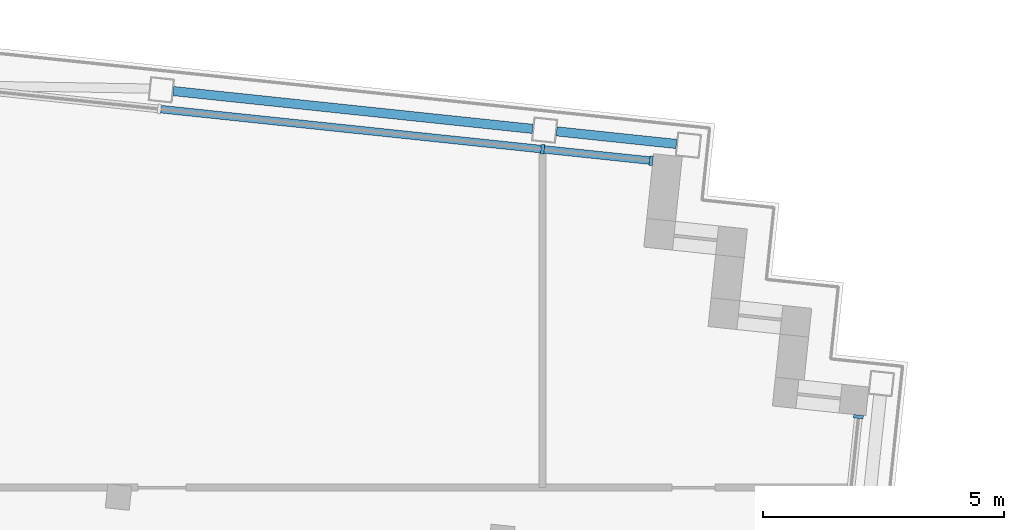
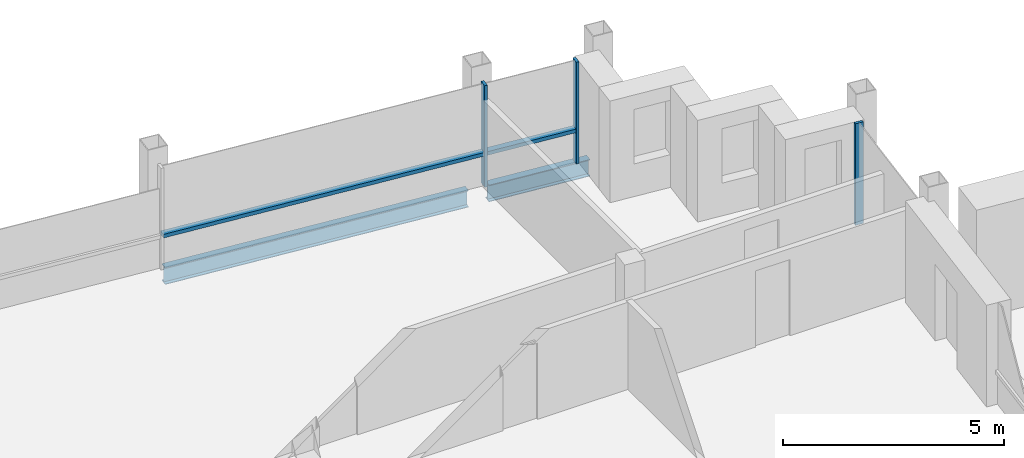
# One storey, part 6 of 16: 5 members, 2 beams, 2 elements without a shape of their own.
"""IFC4 building model written with IfcOpenShell, lengths in metres."""

from ifc_helpers import new_model, si_unit, direction, frame, origin, origin_2d, place, context, subcontext, project, spatial, rectangle, i_section, extrude, material, material_profile, profile_set, type_object, element, aggregate, save


model = new_model("IFC4")

# Units and contexts
model_context = context("Model", 3, precision=1e-05, world=origin(), true_north=direction((0.0, 1.0)))
body_context = subcontext(model_context, "Body", "Model", "MODEL_VIEW")
ifc_project = project(units=[si_unit("LENGTHUNIT", "METRE"), si_unit("AREAUNIT", "SQUARE_METRE"), si_unit("VOLUMEUNIT", "CUBIC_METRE"), si_unit("PLANEANGLEUNIT", "RADIAN"), si_unit("MASSUNIT", "GRAM", prefix="KILO")], contexts=[model_context])

# Site, building, storey
site_placement = place(None, origin())
site = spatial("IfcSite", under=ifc_project, at=site_placement, CompositionType="ELEMENT")
building_placement = place(site_placement, origin())
building = spatial("IfcBuilding", under=site, at=building_placement, Name="Vidyagriha Tower", CompositionType="ELEMENT")
storey_placement = place(building_placement, frame((0.0, 0.0, 278.699951171875)))
storey = spatial("IfcBuildingStorey", under=building, at=storey_placement, Name="L73", CompositionType="ELEMENT", Elevation=278.699951171875)

# Beams
ifc_material_1 = material(Name="Steel ASTM A992 Grade 50", Category="steel")
ifc_material_profile_1 = material_profile(ifc_material_1, i_section(OverallWidth=0.19189453125, OverallDepth=0.46240234375, WebThickness=0.010498046875, FlangeThickness=0.017578125, at=origin_2d()), Name="W18X60")
ifc_profile_set_1 = profile_set([ifc_material_profile_1], Name="Steel ASTM A992 Grade 50")
beam_type = type_object("IfcBeamType", Name="Edge beam W18X60", PredefinedType="SPANDREL", material=ifc_profile_set_1)
beam_1_placement = place(storey_placement, frame((18.130615234375, 19.472412109375, -0.510986328125), z_axis=(0.994519000353, -0.104556003834, 0.0), x_axis=(0.104556003834, 0.994519000353, 0.0)))
element("IfcBeam", 1, at=beam_1_placement, inside=storey, type_object=beam_type, Name="st-beam-L73-NE19", PredefinedType="SPANDREL", context=body_context, shape_type="SweptSolid", body=[
    extrude(i_section(OverallWidth=0.19189453125, OverallDepth=0.46240234375, WebThickness=0.010498046875, FlangeThickness=0.017578125, at=origin_2d()), origin(), (0.0, 0.0, 1.0), 7.5),
])
beam_2_placement = place(storey_placement, frame((26.0869140625, 18.635986328125, -0.510986328125), z_axis=(0.994524701544, -0.104501760842, 0.0), x_axis=(0.104501760842, 0.994524701544, 0.0)))
element("IfcBeam", 2, at=beam_2_placement, inside=storey, type_object=beam_type, Name="st-beam-L73-NE20", PredefinedType="SPANDREL", context=body_context, shape_type="SweptSolid", body=[
    extrude(i_section(OverallWidth=0.19189453125, OverallDepth=0.46240234375, WebThickness=0.010498046875, FlangeThickness=0.017578125, at=origin_2d()), origin(), (0.0, 0.0, 1.0), 2.499755859375),
])

# Curtain wall, members
ifc_material_2 = material(Name="Aluminium and glass curtain wall", Category="aluminium")
curtain_wall_type = type_object("IfcCurtainWallType", Name="Dwelling skin unitised curtain wall", PredefinedType="USERDEFINED", material=ifc_material_2)
curtain_wall_1_placement = place(storey_placement, origin())
curtain_wall_1 = element("IfcCurtainWall", 3, at=curtain_wall_1_placement, inside=storey, type_object=curtain_wall_type, Name="CW1 dwelling skin", ObjectType="UNITISED", PredefinedType="USERDEFINED")
ifc_material_3 = material(Name="Aluminium black anodised", Category="aluminium")
ifc_material_profile_2 = material_profile(ifc_material_3, rectangle(XDim=0.199951171875, YDim=0.070068359375, at=origin_2d()), Name="Mullion 70x200 black aluminium")
ifc_profile_set_2 = profile_set([ifc_material_profile_2], Name="Aluminium black anodised")
member_type_1 = type_object("IfcMemberType", Name="Mullion 70x200 black aluminium", PredefinedType="MULLION", material=ifc_profile_set_2)
member_1_placement = place(storey_placement, frame((28.049072265625, 18.027587890625, 0.0), z_axis=(0.0, 0.0, 1.0), x_axis=(-0.104528852722, -0.994521854435, 0.0)))
member_1 = element("IfcMember", 4, at=member_1_placement, type_object=member_type_1, Name="CW1 mullion 1", PredefinedType="MULLION", context=body_context, shape_type="SweptSolid", body=[
    extrude(rectangle(XDim=0.199951171875, YDim=0.070068359375, at=origin_2d()), origin(), (0.0, 0.0, 1.0), 2.800048828125),
])
member_2_placement = place(storey_placement, frame((25.79638671875, 18.264404296875, 0.0), z_axis=(0.0, 0.0, 1.0), x_axis=(-0.104528852722, -0.994521854435, 0.0)))
member_2 = element("IfcMember", 5, at=member_2_placement, type_object=member_type_1, Name="CW1 mullion 2", PredefinedType="MULLION", context=body_context, shape_type="SweptSolid", body=[
    extrude(rectangle(XDim=0.199951171875, YDim=0.070068359375, at=origin_2d()), origin(), (0.0, 0.0, 1.0), 2.800048828125),
])

# Curtain wall, member
curtain_wall_2_placement = place(storey_placement, origin())
curtain_wall_2 = element("IfcCurtainWall", 6, at=curtain_wall_2_placement, inside=storey, type_object=curtain_wall_type, Name="CW1 dwelling skin", ObjectType="UNITISED", PredefinedType="USERDEFINED")
member_3_placement = place(storey_placement, frame((32.35205078125, 12.713623046875, 0.0), z_axis=(0.0, 0.0, 1.0), x_axis=(-0.994523205451, 0.10451599791, 0.0)))
member_3 = element("IfcMember", 7, at=member_3_placement, type_object=member_type_1, Name="CW1 mullion 2", PredefinedType="MULLION", context=body_context, shape_type="SweptSolid", body=[
    extrude(rectangle(XDim=0.199951171875, YDim=0.070068359375, at=origin_2d()), origin(), (0.0, 0.0, 1.0), 2.800048828125),
])
aggregate(curtain_wall_2, [member_3])

# Member
ifc_material_4 = material(Name="Aluminium black anodised", Category="aluminium")
ifc_material_profile_3 = material_profile(ifc_material_4, rectangle(XDim=0.159912109375, YDim=0.10009765625, at=origin_2d()), Name="Transom 100x160 black aluminium")
ifc_profile_set_3 = profile_set([ifc_material_profile_3], Name="Aluminium black anodised")
member_type_2 = type_object("IfcMemberType", Name="Transom 100x160 black aluminium", PredefinedType="USERDEFINED", material=ifc_profile_set_3)
member_4_placement = place(storey_placement, frame((28.01416015625, 18.03125, 0.900146484375), z_axis=(-0.994518853465, 0.104557400991, 0.0), x_axis=(-0.104557400991, -0.994518853465, 0.0)))
member_4 = element("IfcMember", 8, at=member_4_placement, type_object=member_type_2, Name="CW1 transom 1.1", ObjectType="TRANSOM", PredefinedType="USERDEFINED", context=body_context, shape_type="SweptSolid", body=[
    extrude(rectangle(XDim=0.159912109375, YDim=0.10009765625, at=origin_2d()), origin(), (0.0, 0.0, 1.0), 2.19482421875),
])

member_5_placement = place(storey_placement, frame((25.761474609375, 18.26806640625, 0.900146484375), z_axis=(-0.994522478205, 0.104522917794, 0.0), x_axis=(-0.104522917794, -0.994522478205, 0.0)))
member_5 = element("IfcMember", 9, at=member_5_placement, type_object=member_type_2, Name="CW1 transom 2.1", ObjectType="TRANSOM", PredefinedType="USERDEFINED", context=body_context, shape_type="SweptSolid", body=[
    extrude(rectangle(XDim=0.159912109375, YDim=0.10009765625, at=origin_2d()), origin(), (0.0, 0.0, 1.0), 7.929931640625),
])

aggregate(curtain_wall_1, [member_1, member_2, member_4, member_5])

save(model, "model.ifc")
